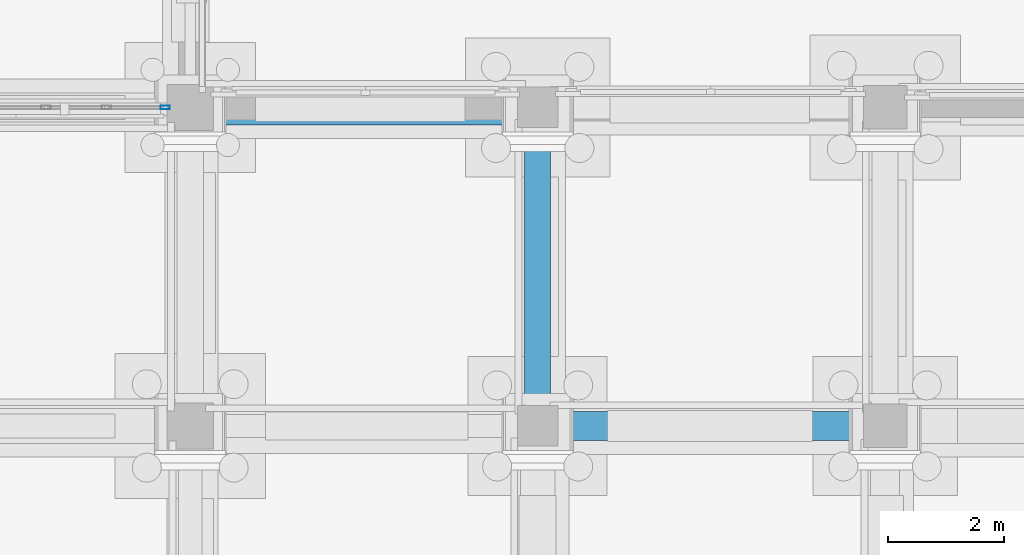
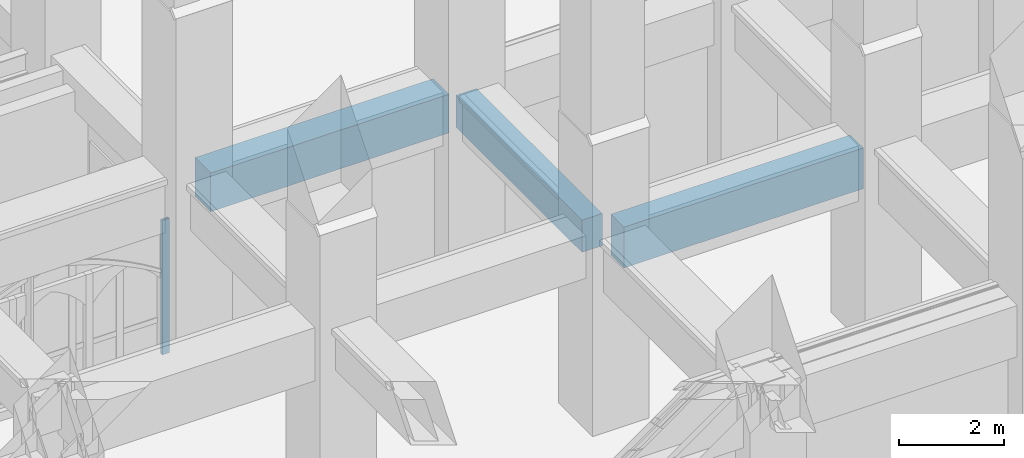
# One storey, part 33 of 135: 3 beams, 1 member, 1 element without a shape of its own.
"""IFC4 building model written with IfcOpenShell, lengths in metres."""

from ifc_helpers import new_model, si_unit, direction, frame, origin, origin_2d, place, context, subcontext, project, spatial, rectangle, hollow_rectangle, extrude, material, layer, layer_set, material_profile, profile_set, type_object, element, aggregate, save


model = new_model("IFC4")

# Units and contexts
model_context = context("Model", 3, precision=1e-05, world=origin(), true_north=direction((0.0, 1.0)))
body_context = subcontext(model_context, "Body", "Model", "MODEL_VIEW")
ifc_project = project(units=[si_unit("LENGTHUNIT", "METRE"), si_unit("AREAUNIT", "SQUARE_METRE"), si_unit("VOLUMEUNIT", "CUBIC_METRE"), si_unit("PLANEANGLEUNIT", "RADIAN"), si_unit("MASSUNIT", "GRAM", prefix="KILO")], contexts=[model_context])

# Site, building, storey
site_placement = place(None, origin())
site = spatial("IfcSite", under=ifc_project, at=site_placement, CompositionType="ELEMENT")
building_placement = place(site_placement, origin())
building = spatial("IfcBuilding", under=site, at=building_placement, Name="Cumevento Cable Car Station", CompositionType="ELEMENT")
storey_placement = place(building_placement, origin())
storey = spatial("IfcBuildingStorey", under=building, at=storey_placement, Name="L01", CompositionType="ELEMENT", Elevation=0.0)

# Curtain wall, member
ifc_material_1 = material(Name="Anodised Bronze Aluminium AW-6063-T6", Category="aluminium")
ifc_layer = layer(ifc_material_1, 0.166015625)
ifc_layer_set = layer_set([ifc_layer], Name="Anodised Bronze Aluminium AW-6063-T6")
curtain_wall_type = type_object("IfcCurtainWallType", Name="Lancet Curtain Wall CW-02 1090", PredefinedType="NOTDEFINED", material=ifc_layer_set)
curtain_wall_placement = place(storey_placement, origin())
curtain_wall = element("IfcCurtainWall", 1, at=curtain_wall_placement, inside=storey, type_object=curtain_wall_type, Name="Lancet Curtain Wall CW-02 L01 #17", PredefinedType="NOTDEFINED")
ifc_material_2 = material(Name="Anodised Bronze Aluminium AW-6063-T6", Category="aluminium")
ifc_material_profile_1 = material_profile(ifc_material_2, hollow_rectangle(XDim=0.06494140625, YDim=0.159912109375, WallThickness=0.00390625, at=origin_2d()), Name="ALUM65x160x4")
ifc_profile_set_1 = profile_set([ifc_material_profile_1], Name="Anodised Bronze Aluminium AW-6063-T6")
member_type = type_object("IfcMemberType", Name="Curtain Mullion CWM-01 ALUM65x160x4", PredefinedType="MULLION", material=ifc_profile_set_1)
member_placement = place(storey_placement, frame((33.5673828125, 56.5, 0.2099609375), z_axis=(0.0, 0.0, 1.0), x_axis=(0.0, -1.0, 0.0)))
member = element("IfcMember", 2, at=member_placement, type_object=member_type, Name="CW-02 mullion 1", PredefinedType="MULLION", context=body_context, shape_type="SweptSolid", body=[
    extrude(hollow_rectangle(XDim=0.06494140625, YDim=0.159912109375, WallThickness=0.00390625, at=origin_2d()), origin(), (0.0, 0.0, 1.0), 3.1279296875),
])
aggregate(curtain_wall, [member])

# Beams
ifc_material_3 = material(Name="Concrete C40/50", Category="concrete")
ifc_material_profile_2 = material_profile(ifc_material_3, rectangle(XDim=0.60009765625, YDim=0.89990234375, at=origin_2d()), Name="RC600x900")
ifc_profile_set_2 = profile_set([ifc_material_profile_2], Name="Concrete C40/50")
beam_type_1 = type_object("IfcBeamType", Name="Structural Beam TB-01 RC600x900", PredefinedType="BEAM", material=ifc_profile_set_2)
beam_1_placement = place(storey_placement, frame((34.39990234375, 56.5, 3.837890625), z_axis=(1.0, 0.0, 0.0), x_axis=(0.0, 1.0, 0.0)))
element("IfcBeam", 3, at=beam_1_placement, inside=storey, type_object=beam_type_1, Name="Beam TB-01 L01 #136", PredefinedType="BEAM", context=body_context, shape_type="SweptSolid", body=[
    extrude(rectangle(XDim=0.60009765625, YDim=0.89990234375, at=origin_2d()), origin(), (0.0, 0.0, 1.0), 5.25),
])
ifc_material_4 = material(Name="Concrete C40/50", Category="concrete")
ifc_material_profile_3 = material_profile(ifc_material_4, rectangle(XDim=0.449951171875, YDim=0.75, at=origin_2d()), Name="RC450x750")
ifc_profile_set_3 = profile_set([ifc_material_profile_3], Name="Concrete C40/50")
beam_type_2 = type_object("IfcBeamType", Name="Structural Beam TB-02 RC450x750", PredefinedType="BEAM", material=ifc_profile_set_3)
beam_2_placement = place(storey_placement, frame((40.0, 51.35009765625, 3.875), z_axis=(0.0, 1.0, 0.0), x_axis=(-1.0, 0.0, 0.0)))
element("IfcBeam", 4, at=beam_2_placement, inside=storey, type_object=beam_type_2, Name="Beam TB-02 L01 #146", PredefinedType="BEAM", context=body_context, shape_type="SweptSolid", body=[
    extrude(rectangle(XDim=0.449951171875, YDim=0.75, at=origin_2d()), origin(), (0.0, 0.0, 1.0), 4.7998046875),
])
ifc_material_5 = material(Name="Concrete C40/50", Category="concrete")
ifc_material_profile_4 = material_profile(ifc_material_5, rectangle(XDim=0.5, YDim=0.949951171875, at=origin_2d()), Name="RC500x950")
ifc_profile_set_4 = profile_set([ifc_material_profile_4], Name="Concrete C40/50")
beam_type_3 = type_object("IfcBeamType", Name="Structural Beam TB-04 RC500x950", PredefinedType="BEAM", material=ifc_profile_set_4)
beam_3_placement = place(storey_placement, frame((40.35009765625, 51.0, 3.77490234375), z_axis=(1.0, 0.0, 0.0), x_axis=(0.0, 1.0, 0.0)))
element("IfcBeam", 5, at=beam_3_placement, inside=storey, type_object=beam_type_3, Name="Beam TB-04 L01 #132", PredefinedType="BEAM", context=body_context, shape_type="SweptSolid", body=[
    extrude(rectangle(XDim=0.5, YDim=0.949951171875, at=origin_2d()), origin(), (0.0, 0.0, 1.0), 5.27490234375),
])

save(model, "model.ifc")
